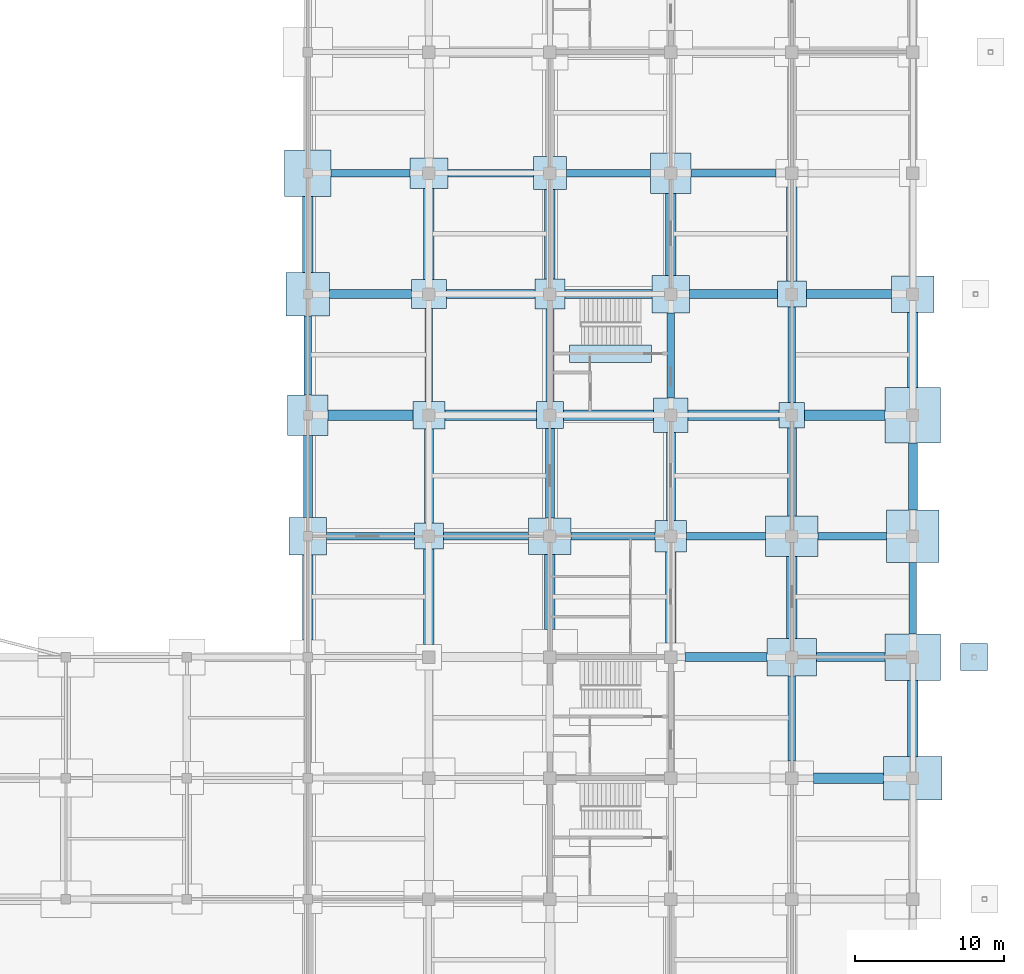
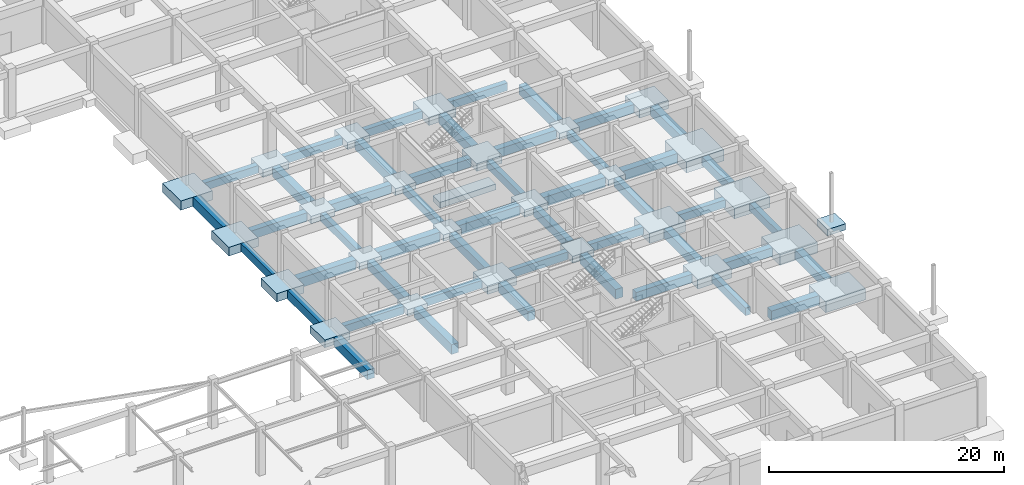
# One storey, part 8 of 67: 74 footings.
"""IFC4 building model written with IfcOpenShell, lengths in metres."""

import ifcopenshell
import ifcopenshell.guid

model = None  # the IFC model being written
_history = None  # IfcOwnerHistory: only IFC2X3 demands one
_inside = {}  # id of a spatial element -> (the spatial element, [elements in it])
_under = {}  # id of a project, library or spatial element -> (it, [spatial elements below it])
_declared = {}  # id of a project -> (the project, [libraries it declares])
_typed = {}  # id of a type object -> (the type object, [elements of that type])
_made_of = {}  # id of a material, layer set ... -> (it, [elements and type objects made of it])


def new_model(schema):
    """Start an empty IFC model of exactly this schema.

    Asked for "IFC4X3", IfcOpenShell would pick the latest addendum, in which some entities
    have other attributes; the version numbers below select the first issue.
    IFC2X3 requires an IfcOwnerHistory on every rooted entity: one is made here for all.
    """
    global model, _history
    if schema == "IFC4X3":
        model = ifcopenshell.file(schema_version=(4, 3, 0, 0))
    else:
        model = ifcopenshell.file(schema=schema)
    _inside.clear()
    _under.clear()
    _declared.clear()
    _typed.clear()
    _made_of.clear()
    _history = None
    if model.schema == "IFC2X3":
        org = make("IfcOrganization", Name="unknown")
        user = make(
            "IfcPersonAndOrganization",
            ThePerson=make("IfcPerson", FamilyName="unknown"),
            TheOrganization=org,
        )
        app = make(
            "IfcApplication",
            ApplicationDeveloper=org,
            Version="unknown",
            ApplicationFullName="unknown",
            ApplicationIdentifier="unknown",
        )
        _history = make(
            "IfcOwnerHistory",
            OwningUser=user,
            OwningApplication=app,
            ChangeAction="ADDED",
            CreationDate=0,
        )
    return model


def make(cls, **values):
    """One entity of the class cls with the attributes given. An attribute that is None is left unset."""
    return model.create_entity(
        cls, **{name: value for name, value in values.items() if value is not None}
    )


def rooted(cls, **values):
    """An entity with a GlobalId (a new one), such as an element, a storey or a relation."""
    return make(cls, GlobalId=ifcopenshell.guid.new(), OwnerHistory=_history, **values)


def si_unit(unit_type, name, prefix=None):
    """IfcSIUnit, for example si_unit("LENGTHUNIT", "METRE", prefix="MILLI")."""
    return make("IfcSIUnit", UnitType=unit_type, Prefix=prefix, Name=name)


def assignment(units):
    """IfcUnitAssignment: the units of a project."""
    return None if units is None else make("IfcUnitAssignment", Units=units)


def point(xyz):
    """IfcCartesianPoint."""
    return None if xyz is None else make("IfcCartesianPoint", Coordinates=xyz)


def direction(xyz):
    """IfcDirection."""
    return None if xyz is None else make("IfcDirection", DirectionRatios=xyz)


def frame(location, z_axis=None, x_axis=None):
    """IfcAxis2Placement3D, a coordinate frame: its origin and axes. An axis left out is left unset."""
    return make(
        "IfcAxis2Placement3D",
        Location=point(location),
        Axis=direction(z_axis),
        RefDirection=direction(x_axis),
    )


def frame_2d(location, x_axis=None):
    """IfcAxis2Placement2D, a coordinate frame in the plane: its origin and x axis."""
    return make(
        "IfcAxis2Placement2D", Location=point(location), RefDirection=direction(x_axis)
    )


def origin():
    """The frame at (0, 0, 0) with its axes left unset."""
    return frame((0.0, 0.0, 0.0))


def origin_2d():
    """The frame at (0, 0) in the plane with its x axis left unset."""
    return frame_2d((0.0, 0.0))


def place(relative_to, where):
    """IfcLocalPlacement: puts the frame where relative to a parent placement (None: the world)."""
    return make(
        "IfcLocalPlacement", PlacementRelTo=relative_to, RelativePlacement=where
    )


def context(
    kind, dimensions, precision=None, world=None, true_north=None, identifier=None
):
    """IfcGeometricRepresentationContext, for example the 3D "Model" context."""
    return make(
        "IfcGeometricRepresentationContext",
        ContextIdentifier=identifier,
        ContextType=kind,
        CoordinateSpaceDimension=dimensions,
        Precision=precision,
        WorldCoordinateSystem=world,
        TrueNorth=true_north,
    )


def subcontext(parent, identifier, kind, view, scale=None):
    """IfcGeometricRepresentationSubContext, for example "Body" below "Model"."""
    return make(
        "IfcGeometricRepresentationSubContext",
        ContextIdentifier=identifier,
        ContextType=kind,
        ParentContext=parent,
        TargetScale=scale,
        TargetView=view,
    )


def project(units=None, contexts=None):
    """IfcProject with its units and contexts."""
    return rooted(
        "IfcProject",
        Name="project",
        RepresentationContexts=contexts,
        UnitsInContext=assignment(units),
    )


def spatial(cls, under=None, at=None, **own):
    """A site, building, storey or space (cls), placed at a placement, below another one or the project."""
    s = rooted(cls, ObjectPlacement=at, **own)
    if under is not None:
        _under.setdefault(under.id(), (under, []))[1].append(s)
    return s


def profile(cls, at=None, kind="AREA", **sizes):
    """A parametric profile (cls). Its sizes go by their IFC names, for example OverallWidth=200.0."""
    return make(cls, ProfileType=kind, Position=at, **sizes)


def rectangle(**sizes):
    """IfcRectangleProfileDef."""
    return profile("IfcRectangleProfileDef", **sizes)


def extrude(swept, where, along, depth):
    """IfcExtrudedAreaSolid: the profile swept, set in the frame where, extruded along a direction by depth."""
    return make(
        "IfcExtrudedAreaSolid",
        SweptArea=swept,
        Position=where,
        ExtrudedDirection=direction(along),
        Depth=depth,
    )


def shape(context_of_items, identifier, shape_type, items):
    """IfcShapeRepresentation: the items that make up one representation, for example the "Body"."""
    return make(
        "IfcShapeRepresentation",
        ContextOfItems=context_of_items,
        RepresentationIdentifier=identifier,
        RepresentationType=shape_type,
        Items=items,
    )


def material(Name=None, Category=None):
    """IfcMaterial."""
    return make("IfcMaterial", Name=Name, Category=Category)


def made_of(thing, what):
    """Note that an element or type object is made of a material, layer set ...; save() writes the relation."""
    if what is not None:
        _made_of.setdefault(what.id(), (what, []))[1].append(thing)
    return thing


def type_object(cls, material=None, **own):
    """A type object (cls), such as IfcWallType, which elements share."""
    return made_of(rooted(cls, **own), material)


def element(
    cls,
    number,
    at=None,
    inside=None,
    cuts=None,
    type_object=None,
    material=None,
    context=None,
    identifier="Body",
    shape_type=None,
    held_by="IfcProductDefinitionShape",
    body=None,
    shapes=None,
    **own,
):
    """One element of the class cls, such as IfcWall. Its Tag is "e" and its number.

    at: its placement. inside: the storey or other place that contains it. cuts: it is an
    opening in that element (IfcRelVoidsElement). A single representation is given by context,
    identifier, shape_type and body (its items); several are given by shapes. held_by: the class
    of the entity that holds the representations. save() writes the other relations.
    """
    e = rooted(cls, Tag="e%d" % number, ObjectPlacement=at, **own)
    if body is not None:
        shapes = [shape(context, identifier, shape_type, body)]
    if shapes is not None:
        e.Representation = make(held_by, Representations=shapes)
    if inside is not None:
        _inside.setdefault(inside.id(), (inside, []))[1].append(e)
    if cuts is not None:
        rooted(
            "IfcRelVoidsElement", RelatingBuildingElement=cuts, RelatedOpeningElement=e
        )
    if type_object is not None:
        _typed.setdefault(type_object.id(), (type_object, []))[1].append(e)
    return made_of(e, material)


def aggregate(whole, parts):
    """IfcRelAggregates: a whole, such as a stair, and the parts it consists of."""
    return rooted("IfcRelAggregates", RelatingObject=whole, RelatedObjects=parts)


def save(model, path):
    """Write the relations noted so far, then the file.

    IfcRelAggregates (storeys below a building ...), IfcRelContainedInSpatialStructure (elements
    in a storey), IfcRelDefinesByType, IfcRelAssociatesMaterial and IfcRelDeclares: one each for
    every whole, place, type object, material and project.
    """
    for whole, parts in _under.values():
        aggregate(whole, parts)
    for where, things in _inside.values():
        rooted(
            "IfcRelContainedInSpatialStructure",
            RelatedElements=things,
            RelatingStructure=where,
        )
    for kind, things in _typed.values():
        rooted("IfcRelDefinesByType", RelatedObjects=things, RelatingType=kind)
    for what, things in _made_of.values():
        rooted("IfcRelAssociatesMaterial", RelatedObjects=things, RelatingMaterial=what)
    for by, libraries in _declared.values():
        rooted("IfcRelDeclares", RelatingContext=by, RelatedDefinitions=libraries)
    model.write(path)


model = new_model("IFC4")

# Units and contexts
model_context = context("Model", 3, precision=1e-05, world=origin(), true_north=direction((0.0, 1.0)))
body_context = subcontext(model_context, "Body", "Model", "MODEL_VIEW")
ifc_project = project(units=[si_unit("LENGTHUNIT", "METRE"), si_unit("AREAUNIT", "SQUARE_METRE"), si_unit("VOLUMEUNIT", "CUBIC_METRE"), si_unit("PLANEANGLEUNIT", "RADIAN"), si_unit("MASSUNIT", "GRAM", prefix="KILO")], contexts=[model_context])

# Site, building, storey
site_placement = place(None, origin())
site = spatial("IfcSite", under=ifc_project, at=site_placement, CompositionType="ELEMENT")
building_placement = place(site_placement, origin())
building = spatial("IfcBuilding", under=site, at=building_placement, Name="Vaudrelin Polytechnic", CompositionType="ELEMENT")
storey_placement = place(building_placement, frame((0.0, 0.0, -5.10009765625)))
storey = spatial("IfcBuildingStorey", under=building, at=storey_placement, Name="B1", CompositionType="ELEMENT", Elevation=-5.10009765625)

# Footings
ifc_material = material(Name="Concrete 40 MPa", Category="concrete")
footing_type_1 = type_object("IfcFootingType", Name="FTG-GB-01", PredefinedType="FOOTING_BEAM", material=ifc_material)
footing_1_placement = place(storey_placement, frame((133.78759765625, 56.699951171875, -1.25), z_axis=(0.0, 0.0, 1.0), x_axis=(1.0, 0.0, 0.0)))
element("IfcFooting", 1, at=footing_1_placement, inside=storey, type_object=footing_type_1, Name="Ground tie beam GB-0267", PredefinedType="FOOTING_BEAM", context=body_context, shape_type="SweptSolid", body=[
    extrude(rectangle(XDim=5.875, YDim=0.5, at=origin_2d()), origin(), (0.0, 0.0, 1.0), 0.800048828125),
])
footing_2_placement = place(storey_placement, frame((129.60009765625, 68.800048828125, -1.25), z_axis=(0.0, 0.0, 1.0), x_axis=(1.0, 0.0, 0.0)))
element("IfcFooting", 2, at=footing_2_placement, inside=storey, type_object=footing_type_1, Name="Ground tie beam GB-0270", PredefinedType="FOOTING_BEAM", context=body_context, shape_type="SweptSolid", body=[
    extrude(rectangle(XDim=0.5, YDim=5.300048828125, at=origin_2d()), origin(), (0.0, 0.0, 1.0), 0.800048828125),
])
footing_3_placement = place(storey_placement, frame((133.78759765625, 81.0, -1.25), z_axis=(0.0, 0.0, 1.0), x_axis=(1.0, 0.0, 0.0)))
element("IfcFooting", 3, at=footing_3_placement, inside=storey, type_object=footing_type_1, Name="Ground tie beam GB-0273", PredefinedType="FOOTING_BEAM", context=body_context, shape_type="SweptSolid", body=[
    extrude(rectangle(XDim=5.27490234375, YDim=0.5, at=origin_2d()), origin(), (0.0, 0.0, 1.0), 0.800048828125),
])
footing_4_placement = place(storey_placement, frame((141.52490234375, 56.699951171875, -1.25), z_axis=(0.0, 0.0, 1.0), x_axis=(1.0, 0.0, 0.0)))
element("IfcFooting", 4, at=footing_4_placement, inside=storey, type_object=footing_type_1, Name="Ground tie beam GB-0294", PredefinedType="FOOTING_BEAM", context=body_context, shape_type="SweptSolid", body=[
    extrude(rectangle(XDim=5.699951171875, YDim=0.5, at=origin_2d()), origin(), (0.0, 0.0, 1.0), 0.800048828125),
])
footing_5_placement = place(storey_placement, frame((137.699951171875, 68.824951171875, -1.25), z_axis=(0.0, 0.0, 1.0), x_axis=(1.0, 0.0, 0.0)))
element("IfcFooting", 5, at=footing_5_placement, inside=storey, type_object=footing_type_1, Name="Ground tie beam GB-0297", PredefinedType="FOOTING_BEAM", context=body_context, shape_type="SweptSolid", body=[
    extrude(rectangle(XDim=0.5, YDim=6.199951171875, at=origin_2d()), origin(), (0.0, 0.0, 1.0), 0.800048828125),
])
footing_6_placement = place(storey_placement, frame((141.83740234375, 81.0, -1.25), z_axis=(0.0, 0.0, 1.0), x_axis=(1.0, 0.0, 0.0)))
element("IfcFooting", 6, at=footing_6_placement, inside=storey, type_object=footing_type_1, Name="Ground tie beam GB-0300", PredefinedType="FOOTING_BEAM", context=body_context, shape_type="SweptSolid", body=[
    extrude(rectangle(XDim=5.72509765625, YDim=0.5, at=origin_2d()), origin(), (0.0, 0.0, 1.0), 0.800048828125),
])
footing_7_placement = place(storey_placement, frame((150.03759765625, 56.699951171875, -1.25), z_axis=(0.0, 0.0, 1.0), x_axis=(1.0, 0.0, 0.0)))
element("IfcFooting", 7, at=footing_7_placement, inside=storey, type_object=footing_type_1, Name="Ground tie beam GB-0321", PredefinedType="FOOTING_BEAM", context=body_context, shape_type="SweptSolid", body=[
    extrude(rectangle(XDim=5.625, YDim=0.5, at=origin_2d()), origin(), (0.0, 0.0, 1.0), 0.800048828125),
])
footing_8_placement = place(storey_placement, frame((145.800048828125, 68.800048828125, -1.25), z_axis=(0.0, 0.0, 1.0), x_axis=(1.0, 0.0, 0.0)))
element("IfcFooting", 8, at=footing_8_placement, inside=storey, type_object=footing_type_1, Name="Ground tie beam GB-0324", PredefinedType="FOOTING_BEAM", context=body_context, shape_type="SweptSolid", body=[
    extrude(rectangle(XDim=0.5, YDim=6.199951171875, at=origin_2d()), origin(), (0.0, 0.0, 1.0), 0.800048828125),
])
footing_9_placement = place(storey_placement, frame((149.72509765625, 81.0, -1.25), z_axis=(0.0, 0.0, 1.0), x_axis=(1.0, 0.0, 0.0)))
element("IfcFooting", 9, at=footing_9_placement, inside=storey, type_object=footing_type_1, Name="Ground tie beam GB-0327", PredefinedType="FOOTING_BEAM", context=body_context, shape_type="SweptSolid", body=[
    extrude(rectangle(XDim=5.64990234375, YDim=0.5, at=origin_2d()), origin(), (0.0, 0.0, 1.0), 0.800048828125),
])
footing_10_placement = place(storey_placement, frame((157.60009765625, 56.699951171875, -1.25), z_axis=(0.0, 0.0, 1.0), x_axis=(1.0, 0.0, 0.0)))
element("IfcFooting", 10, at=footing_10_placement, inside=storey, type_object=footing_type_1, Name="Ground tie beam GB-0348", PredefinedType="FOOTING_BEAM", context=body_context, shape_type="SweptSolid", body=[
    extrude(rectangle(XDim=5.300048828125, YDim=0.5, at=origin_2d()), origin(), (0.0, 0.0, 1.0), 0.800048828125),
])
footing_11_placement = place(storey_placement, frame((153.89990234375, 68.800048828125, -1.25), z_axis=(0.0, 0.0, 1.0), x_axis=(1.0, 0.0, 0.0)))
element("IfcFooting", 11, at=footing_11_placement, inside=storey, type_object=footing_type_1, Name="Ground tie beam GB-0351", PredefinedType="FOOTING_BEAM", context=body_context, shape_type="SweptSolid", body=[
    extrude(rectangle(XDim=0.5, YDim=5.699951171875, at=origin_2d()), origin(), (0.0, 0.0, 1.0), 0.800048828125),
])
footing_12_placement = place(storey_placement, frame((158.08740234375, 81.0, -1.25), z_axis=(0.0, 0.0, 1.0), x_axis=(1.0, 0.0, 0.0)))
element("IfcFooting", 12, at=footing_12_placement, inside=storey, type_object=footing_type_1, Name="Ground tie beam GB-0354", PredefinedType="FOOTING_BEAM", context=body_context, shape_type="SweptSolid", body=[
    extrude(rectangle(XDim=5.675048828125, YDim=0.5, at=origin_2d()), origin(), (0.0, 0.0, 1.0), 0.800048828125),
])
footing_13_placement = place(storey_placement, frame((162.0, 44.5, -1.25), z_axis=(0.0, 0.0, 1.0), x_axis=(1.0, 0.0, 0.0)))
element("IfcFooting", 13, at=footing_13_placement, inside=storey, type_object=footing_type_1, Name="Ground tie beam GB-0372", PredefinedType="FOOTING_BEAM", context=body_context, shape_type="SweptSolid", body=[
    extrude(rectangle(XDim=0.5, YDim=5.699951171875, at=origin_2d()), origin(), (0.0, 0.0, 1.0), 0.800048828125),
])
footing_14_placement = place(storey_placement, frame((166.050048828125, 56.699951171875, -1.25), z_axis=(0.0, 0.0, 1.0), x_axis=(1.0, 0.0, 0.0)))
element("IfcFooting", 14, at=footing_14_placement, inside=storey, type_object=footing_type_1, Name="Ground tie beam GB-0375", PredefinedType="FOOTING_BEAM", context=body_context, shape_type="SweptSolid", body=[
    extrude(rectangle(XDim=4.60009765625, YDim=0.5, at=origin_2d()), origin(), (0.0, 0.0, 1.0), 0.800048828125),
])
footing_15_placement = place(storey_placement, frame((162.0, 68.83740234375, -1.25), z_axis=(0.0, 0.0, 1.0), x_axis=(1.0, 0.0, 0.0)))
element("IfcFooting", 15, at=footing_15_placement, inside=storey, type_object=footing_type_1, Name="Ground tie beam GB-0378", PredefinedType="FOOTING_BEAM", context=body_context, shape_type="SweptSolid", body=[
    extrude(rectangle(XDim=0.5, YDim=6.375, at=origin_2d()), origin(), (0.0, 0.0, 1.0), 0.800048828125),
])
footing_16_placement = place(storey_placement, frame((170.10009765625, 52.550048828125, -1.25), z_axis=(0.0, 0.0, 1.0), x_axis=(1.0, 0.0, 0.0)))
element("IfcFooting", 16, at=footing_16_placement, inside=storey, type_object=footing_type_1, Name="Ground tie beam GB-0396", PredefinedType="FOOTING_BEAM", context=body_context, shape_type="SweptSolid", body=[
    extrude(rectangle(XDim=0.5, YDim=4.800048828125, at=origin_2d()), origin(), (0.0, 0.0, 1.0), 0.800048828125),
])
footing_type_2 = type_object("IfcFootingType", Name="FTG-GB-02", PredefinedType="FOOTING_BEAM", material=ifc_material)
footing_17_placement = place(storey_placement, frame((129.60009765625, 60.699951171875, -1.349853515625), z_axis=(0.0, 0.0, 1.0), x_axis=(1.0, 0.0, 0.0)))
element("IfcFooting", 17, at=footing_17_placement, inside=storey, type_object=footing_type_2, Name="Ground tie beam GB-0268", PredefinedType="FOOTING_BEAM", context=body_context, shape_type="SweptSolid", body=[
    extrude(rectangle(XDim=0.60009765625, YDim=5.5, at=origin_2d()), origin(), (0.0, 0.0, 1.0), 0.89990234375),
])
footing_18_placement = place(storey_placement, frame((133.78759765625, 72.89990234375, -1.349853515625), z_axis=(0.0, 0.0, 1.0), x_axis=(1.0, 0.0, 0.0)))
element("IfcFooting", 18, at=footing_18_placement, inside=storey, type_object=footing_type_2, Name="Ground tie beam GB-0271", PredefinedType="FOOTING_BEAM", context=body_context, shape_type="SweptSolid", body=[
    extrude(rectangle(XDim=5.47509765625, YDim=0.60009765625, at=origin_2d()), origin(), (0.0, 0.0, 1.0), 0.89990234375),
])
footing_19_placement = place(storey_placement, frame((137.699951171875, 60.72509765625, -1.349853515625), z_axis=(0.0, 0.0, 1.0), x_axis=(1.0, 0.0, 0.0)))
element("IfcFooting", 19, at=footing_19_placement, inside=storey, type_object=footing_type_2, Name="Ground tie beam GB-0295", PredefinedType="FOOTING_BEAM", context=body_context, shape_type="SweptSolid", body=[
    extrude(rectangle(XDim=0.60009765625, YDim=6.300048828125, at=origin_2d()), origin(), (0.0, 0.0, 1.0), 0.89990234375),
])
footing_20_placement = place(storey_placement, frame((141.83740234375, 72.89990234375, -1.349853515625), z_axis=(0.0, 0.0, 1.0), x_axis=(1.0, 0.0, 0.0)))
element("IfcFooting", 20, at=footing_20_placement, inside=storey, type_object=footing_type_2, Name="Ground tie beam GB-0298", PredefinedType="FOOTING_BEAM", context=body_context, shape_type="SweptSolid", body=[
    extrude(rectangle(XDim=5.925048828125, YDim=0.60009765625, at=origin_2d()), origin(), (0.0, 0.0, 1.0), 0.89990234375),
])
footing_21_placement = place(storey_placement, frame((145.800048828125, 60.91259765625, -1.349853515625), z_axis=(0.0, 0.0, 1.0), x_axis=(1.0, 0.0, 0.0)))
element("IfcFooting", 21, at=footing_21_placement, inside=storey, type_object=footing_type_2, Name="Ground tie beam GB-0322", PredefinedType="FOOTING_BEAM", context=body_context, shape_type="SweptSolid", body=[
    extrude(rectangle(XDim=0.60009765625, YDim=5.97509765625, at=origin_2d()), origin(), (0.0, 0.0, 1.0), 0.89990234375),
])
footing_22_placement = place(storey_placement, frame((149.72509765625, 72.89990234375, -1.349853515625), z_axis=(0.0, 0.0, 1.0), x_axis=(1.0, 0.0, 0.0)))
element("IfcFooting", 22, at=footing_22_placement, inside=storey, type_object=footing_type_2, Name="Ground tie beam GB-0325", PredefinedType="FOOTING_BEAM", context=body_context, shape_type="SweptSolid", body=[
    extrude(rectangle(XDim=5.85009765625, YDim=0.60009765625, at=origin_2d()), origin(), (0.0, 0.0, 1.0), 0.89990234375),
])
footing_23_placement = place(storey_placement, frame((157.60009765625, 48.60009765625, -1.349853515625), z_axis=(0.0, 0.0, 1.0), x_axis=(1.0, 0.0, 0.0)))
element("IfcFooting", 23, at=footing_23_placement, inside=storey, type_object=footing_type_2, Name="Ground tie beam GB-0346", PredefinedType="FOOTING_BEAM", context=body_context, shape_type="SweptSolid", body=[
    extrude(rectangle(XDim=5.5, YDim=0.60009765625, at=origin_2d()), origin(), (0.0, 0.0, 1.0), 0.89990234375),
])
footing_24_placement = place(storey_placement, frame((153.89990234375, 60.699951171875, -1.349853515625), z_axis=(0.0, 0.0, 1.0), x_axis=(1.0, 0.0, 0.0)))
element("IfcFooting", 24, at=footing_24_placement, inside=storey, type_object=footing_type_2, Name="Ground tie beam GB-0349", PredefinedType="FOOTING_BEAM", context=body_context, shape_type="SweptSolid", body=[
    extrude(rectangle(XDim=0.60009765625, YDim=5.89990234375, at=origin_2d()), origin(), (0.0, 0.0, 1.0), 0.89990234375),
])
footing_25_placement = place(storey_placement, frame((158.08740234375, 72.89990234375, -1.349853515625), z_axis=(0.0, 0.0, 1.0), x_axis=(1.0, 0.0, 0.0)))
element("IfcFooting", 25, at=footing_25_placement, inside=storey, type_object=footing_type_2, Name="Ground tie beam GB-0352", PredefinedType="FOOTING_BEAM", context=body_context, shape_type="SweptSolid", body=[
    extrude(rectangle(XDim=5.875, YDim=0.60009765625, at=origin_2d()), origin(), (0.0, 0.0, 1.0), 0.89990234375),
])
footing_26_placement = place(storey_placement, frame((165.949951171875, 48.60009765625, -1.349853515625), z_axis=(0.0, 0.0, 1.0), x_axis=(1.0, 0.0, 0.0)))
element("IfcFooting", 26, at=footing_26_placement, inside=storey, type_object=footing_type_2, Name="Ground tie beam GB-0373", PredefinedType="FOOTING_BEAM", context=body_context, shape_type="SweptSolid", body=[
    extrude(rectangle(XDim=4.60009765625, YDim=0.60009765625, at=origin_2d()), origin(), (0.0, 0.0, 1.0), 0.89990234375),
])
footing_27_placement = place(storey_placement, frame((162.0, 61.0, -1.349853515625), z_axis=(0.0, 0.0, 1.0), x_axis=(1.0, 0.0, 0.0)))
element("IfcFooting", 27, at=footing_27_placement, inside=storey, type_object=footing_type_2, Name="Ground tie beam GB-0376", PredefinedType="FOOTING_BEAM", context=body_context, shape_type="SweptSolid", body=[
    extrude(rectangle(XDim=0.60009765625, YDim=5.89990234375, at=origin_2d()), origin(), (0.0, 0.0, 1.0), 0.89990234375),
])
footing_28_placement = place(storey_placement, frame((165.824951171875, 72.89990234375, -1.349853515625), z_axis=(0.0, 0.0, 1.0), x_axis=(1.0, 0.0, 0.0)))
element("IfcFooting", 28, at=footing_28_placement, inside=storey, type_object=footing_type_2, Name="Ground tie beam GB-0379", PredefinedType="FOOTING_BEAM", context=body_context, shape_type="SweptSolid", body=[
    extrude(rectangle(XDim=5.699951171875, YDim=0.60009765625, at=origin_2d()), origin(), (0.0, 0.0, 1.0), 0.89990234375),
])
footing_29_placement = place(storey_placement, frame((170.10009765625, 60.699951171875, -1.349853515625), z_axis=(0.0, 0.0, 1.0), x_axis=(1.0, 0.0, 0.0)))
element("IfcFooting", 29, at=footing_29_placement, inside=storey, type_object=footing_type_2, Name="Ground tie beam GB-0397", PredefinedType="FOOTING_BEAM", context=body_context, shape_type="SweptSolid", body=[
    extrude(rectangle(XDim=0.60009765625, YDim=4.5, at=origin_2d()), origin(), (0.0, 0.0, 1.0), 0.89990234375),
])
footing_type_3 = type_object("IfcFootingType", Name="FTG-GB-03", PredefinedType="FOOTING_BEAM", material=ifc_material)
footing_30_placement = place(storey_placement, frame((129.60009765625, 52.60009765625, -1.449951171875), z_axis=(0.0, 0.0, 1.0), x_axis=(1.0, 0.0, 0.0)))
element("IfcFooting", 30, at=footing_30_placement, inside=storey, type_object=footing_type_3, Name="Ground tie beam GB-0266", PredefinedType="FOOTING_BEAM", context=body_context, shape_type="SweptSolid", body=[
    extrude(rectangle(XDim=0.699951171875, YDim=5.699951171875, at=origin_2d()), origin(), (0.0, 0.0, 1.0), 1.0),
])
footing_31_placement = place(storey_placement, frame((133.78759765625, 64.800048828125, -1.449951171875), z_axis=(0.0, 0.0, 1.0), x_axis=(1.0, 0.0, 0.0)))
element("IfcFooting", 31, at=footing_31_placement, inside=storey, type_object=footing_type_3, Name="Ground tie beam GB-0269", PredefinedType="FOOTING_BEAM", context=body_context, shape_type="SweptSolid", body=[
    extrude(rectangle(XDim=5.675048828125, YDim=0.699951171875, at=origin_2d()), origin(), (0.0, 0.0, 1.0), 1.0),
])
footing_32_placement = place(storey_placement, frame((129.60009765625, 76.89990234375, -1.449951171875), z_axis=(0.0, 0.0, 1.0), x_axis=(1.0, 0.0, 0.0)))
element("IfcFooting", 32, at=footing_32_placement, inside=storey, type_object=footing_type_3, Name="Ground tie beam GB-0272", PredefinedType="FOOTING_BEAM", context=body_context, shape_type="SweptSolid", body=[
    extrude(rectangle(XDim=0.699951171875, YDim=5.10009765625, at=origin_2d()), origin(), (0.0, 0.0, 1.0), 1.0),
])
footing_33_placement = place(storey_placement, frame((137.699951171875, 52.637451171875, -1.449951171875), z_axis=(0.0, 0.0, 1.0), x_axis=(1.0, 0.0, 0.0)))
element("IfcFooting", 33, at=footing_33_placement, inside=storey, type_object=footing_type_3, Name="Ground tie beam GB-0293", PredefinedType="FOOTING_BEAM", context=body_context, shape_type="SweptSolid", body=[
    extrude(rectangle(XDim=0.699951171875, YDim=6.375, at=origin_2d()), origin(), (0.0, 0.0, 1.0), 1.0),
])
footing_34_placement = place(storey_placement, frame((141.83740234375, 64.800048828125, -1.449951171875), z_axis=(0.0, 0.0, 1.0), x_axis=(1.0, 0.0, 0.0)))
element("IfcFooting", 34, at=footing_34_placement, inside=storey, type_object=footing_type_3, Name="Ground tie beam GB-0296", PredefinedType="FOOTING_BEAM", context=body_context, shape_type="SweptSolid", body=[
    extrude(rectangle(XDim=6.125, YDim=0.699951171875, at=origin_2d()), origin(), (0.0, 0.0, 1.0), 1.0),
])
footing_35_placement = place(storey_placement, frame((137.699951171875, 76.925048828125, -1.449951171875), z_axis=(0.0, 0.0, 1.0), x_axis=(1.0, 0.0, 0.0)))
element("IfcFooting", 35, at=footing_35_placement, inside=storey, type_object=footing_type_3, Name="Ground tie beam GB-0299", PredefinedType="FOOTING_BEAM", context=body_context, shape_type="SweptSolid", body=[
    extrude(rectangle(XDim=0.699951171875, YDim=6.10009765625, at=origin_2d()), origin(), (0.0, 0.0, 1.0), 1.0),
])
footing_36_placement = place(storey_placement, frame((145.800048828125, 52.96240234375, -1.449951171875), z_axis=(0.0, 0.0, 1.0), x_axis=(1.0, 0.0, 0.0)))
element("IfcFooting", 36, at=footing_36_placement, inside=storey, type_object=footing_type_3, Name="Ground tie beam GB-0320", PredefinedType="FOOTING_BEAM", context=body_context, shape_type="SweptSolid", body=[
    extrude(rectangle(XDim=0.699951171875, YDim=5.02490234375, at=origin_2d()), origin(), (0.0, 0.0, 1.0), 1.0),
])
footing_37_placement = place(storey_placement, frame((149.72509765625, 64.800048828125, -1.449951171875), z_axis=(0.0, 0.0, 1.0), x_axis=(1.0, 0.0, 0.0)))
element("IfcFooting", 37, at=footing_37_placement, inside=storey, type_object=footing_type_3, Name="Ground tie beam GB-0323", PredefinedType="FOOTING_BEAM", context=body_context, shape_type="SweptSolid", body=[
    extrude(rectangle(XDim=6.050048828125, YDim=0.699951171875, at=origin_2d()), origin(), (0.0, 0.0, 1.0), 1.0),
])
footing_38_placement = place(storey_placement, frame((145.800048828125, 76.89990234375, -1.449951171875), z_axis=(0.0, 0.0, 1.0), x_axis=(1.0, 0.0, 0.0)))
element("IfcFooting", 38, at=footing_38_placement, inside=storey, type_object=footing_type_3, Name="Ground tie beam GB-0326", PredefinedType="FOOTING_BEAM", context=body_context, shape_type="SweptSolid", body=[
    extrude(rectangle(XDim=0.699951171875, YDim=6.0, at=origin_2d()), origin(), (0.0, 0.0, 1.0), 1.0),
])
footing_39_placement = place(storey_placement, frame((153.89990234375, 52.60009765625, -1.449951171875), z_axis=(0.0, 0.0, 1.0), x_axis=(1.0, 0.0, 0.0)))
element("IfcFooting", 39, at=footing_39_placement, inside=storey, type_object=footing_type_3, Name="Ground tie beam GB-0347", PredefinedType="FOOTING_BEAM", context=body_context, shape_type="SweptSolid", body=[
    extrude(rectangle(XDim=0.699951171875, YDim=6.10009765625, at=origin_2d()), origin(), (0.0, 0.0, 1.0), 1.0),
])
footing_40_placement = place(storey_placement, frame((158.10009765625, 64.800048828125, -1.449951171875), z_axis=(0.0, 0.0, 1.0), x_axis=(1.0, 0.0, 0.0)))
element("IfcFooting", 40, at=footing_40_placement, inside=storey, type_object=footing_type_3, Name="Ground tie beam GB-0350", PredefinedType="FOOTING_BEAM", context=body_context, shape_type="SweptSolid", body=[
    extrude(rectangle(XDim=6.10009765625, YDim=0.699951171875, at=origin_2d()), origin(), (0.0, 0.0, 1.0), 1.0),
])
footing_41_placement = place(storey_placement, frame((153.89990234375, 76.89990234375, -1.449951171875), z_axis=(0.0, 0.0, 1.0), x_axis=(1.0, 0.0, 0.0)))
element("IfcFooting", 41, at=footing_41_placement, inside=storey, type_object=footing_type_3, Name="Ground tie beam GB-0353", PredefinedType="FOOTING_BEAM", context=body_context, shape_type="SweptSolid", body=[
    extrude(rectangle(XDim=0.699951171875, YDim=5.5, at=origin_2d()), origin(), (0.0, 0.0, 1.0), 1.0),
])
footing_42_placement = place(storey_placement, frame((165.800048828125, 40.5, -1.449951171875), z_axis=(0.0, 0.0, 1.0), x_axis=(1.0, 0.0, 0.0)))
element("IfcFooting", 42, at=footing_42_placement, inside=storey, type_object=footing_type_3, Name="Ground tie beam GB-0371", PredefinedType="FOOTING_BEAM", context=body_context, shape_type="SweptSolid", body=[
    extrude(rectangle(XDim=4.699951171875, YDim=0.699951171875, at=origin_2d()), origin(), (0.0, 0.0, 1.0), 1.0),
])
footing_43_placement = place(storey_placement, frame((162.0, 52.60009765625, -1.449951171875), z_axis=(0.0, 0.0, 1.0), x_axis=(1.0, 0.0, 0.0)))
element("IfcFooting", 43, at=footing_43_placement, inside=storey, type_object=footing_type_3, Name="Ground tie beam GB-0374", PredefinedType="FOOTING_BEAM", context=body_context, shape_type="SweptSolid", body=[
    extrude(rectangle(XDim=0.699951171875, YDim=5.5, at=origin_2d()), origin(), (0.0, 0.0, 1.0), 1.0),
])
footing_44_placement = place(storey_placement, frame((165.550048828125, 64.800048828125, -1.449951171875), z_axis=(0.0, 0.0, 1.0), x_axis=(1.0, 0.0, 0.0)))
element("IfcFooting", 44, at=footing_44_placement, inside=storey, type_object=footing_type_3, Name="Ground tie beam GB-0377", PredefinedType="FOOTING_BEAM", context=body_context, shape_type="SweptSolid", body=[
    extrude(rectangle(XDim=5.39990234375, YDim=0.699951171875, at=origin_2d()), origin(), (0.0, 0.0, 1.0), 1.0),
])
footing_45_placement = place(storey_placement, frame((162.0, 76.925048828125, -1.449951171875), z_axis=(0.0, 0.0, 1.0), x_axis=(1.0, 0.0, 0.0)))
element("IfcFooting", 45, at=footing_45_placement, inside=storey, type_object=footing_type_3, Name="Ground tie beam GB-0380", PredefinedType="FOOTING_BEAM", context=body_context, shape_type="SweptSolid", body=[
    extrude(rectangle(XDim=0.699951171875, YDim=6.300048828125, at=origin_2d()), origin(), (0.0, 0.0, 1.0), 1.0),
])
footing_46_placement = place(storey_placement, frame((170.10009765625, 44.5, -1.449951171875), z_axis=(0.0, 0.0, 1.0), x_axis=(1.0, 0.0, 0.0)))
element("IfcFooting", 46, at=footing_46_placement, inside=storey, type_object=footing_type_3, Name="Ground tie beam GB-0395", PredefinedType="FOOTING_BEAM", context=body_context, shape_type="SweptSolid", body=[
    extrude(rectangle(XDim=0.699951171875, YDim=5.10009765625, at=origin_2d()), origin(), (0.0, 0.0, 1.0), 1.0),
])
footing_47_placement = place(storey_placement, frame((170.10009765625, 69.16259765625, -1.449951171875), z_axis=(0.0, 0.0, 1.0), x_axis=(1.0, 0.0, 0.0)))
element("IfcFooting", 47, at=footing_47_placement, inside=storey, type_object=footing_type_3, Name="Ground tie beam GB-0398", PredefinedType="FOOTING_BEAM", context=body_context, shape_type="SweptSolid", body=[
    extrude(rectangle(XDim=0.699951171875, YDim=5.02490234375, at=origin_2d()), origin(), (0.0, 0.0, 1.0), 1.0),
])
footing_type_4 = type_object("IfcFootingType", Name="FTG-PF-01", PredefinedType="PAD_FOOTING", material=ifc_material)
for number, where, z_axis, x_axis, name in (
    (48, (145.800048828125, 64.800048828125, -1.099853515625), (0.0, 0.0, 1.0), (1.0, 0.0, 0.0), "Spread footing 18-8"),
    (49, (174.199951171875, 48.60009765625, -0.64990234375), (0.0, 0.0, 1.0), (1.0, 0.0, 0.0), "Sculptural prow footing E_OR1_2"),
):
    element("IfcFooting", number, at=place(storey_placement, frame(where, z_axis=z_axis, x_axis=x_axis)), inside=storey, type_object=footing_type_4, Name=name, PredefinedType="PAD_FOOTING", context=body_context, shape_type="SweptSolid", body=[
        extrude(rectangle(XDim=1.800048828125, YDim=1.800048828125, at=origin_2d()), origin(), (0.0, 0.0, 1.0), 0.64990234375),
    ])
footing_type_5 = type_object("IfcFootingType", Name="FTG-PF-02", PredefinedType="PAD_FOOTING", material=ifc_material)
footing_48_placement = place(storey_placement, frame((145.800048828125, 72.89990234375, -1.14990234375), z_axis=(0.0, 0.0, 1.0), x_axis=(1.0, 0.0, 0.0)))
element("IfcFooting", 50, at=footing_48_placement, inside=storey, type_object=footing_type_5, Name="Spread footing 18-9", PredefinedType="PAD_FOOTING", context=body_context, shape_type="SweptSolid", body=[
    extrude(rectangle(XDim=2.0, YDim=2.0, at=origin_2d()), origin(), (0.0, 0.0, 1.0), 0.699951171875),
])
footing_type_6 = type_object("IfcFootingType", Name="FTG-PF-03", PredefinedType="PAD_FOOTING", material=ifc_material)
footing_49_placement = place(storey_placement, frame((145.800048828125, 81.0, -1.199951171875), z_axis=(0.0, 0.0, 1.0), x_axis=(1.0, 0.0, 0.0)))
element("IfcFooting", 51, at=footing_49_placement, inside=storey, type_object=footing_type_6, Name="Spread footing 18-10", PredefinedType="PAD_FOOTING", context=body_context, shape_type="SweptSolid", body=[
    extrude(rectangle(XDim=2.199951171875, YDim=2.199951171875, at=origin_2d()), origin(), (0.0, 0.0, 1.0), 0.75),
])
footing_type_7 = type_object("IfcFootingType", Name="FTG-PF-14", PredefinedType="PAD_FOOTING", material=ifc_material)
footing_50_placement = place(storey_placement, frame((153.89990234375, 56.699951171875, -1.14990234375), z_axis=(0.0, 0.0, 1.0), x_axis=(1.0, 0.0, 0.0)))
element("IfcFooting", 52, at=footing_50_placement, inside=storey, type_object=footing_type_7, Name="Spread footing 19-7", PredefinedType="PAD_FOOTING", context=body_context, shape_type="SweptSolid", body=[
    extrude(rectangle(XDim=2.10009765625, YDim=2.10009765625, at=origin_2d()), origin(), (0.0, 0.0, 1.0), 0.699951171875),
])
footing_type_8 = type_object("IfcFootingType", Name="FTG-PF-15", PredefinedType="PAD_FOOTING", material=ifc_material)
footing_51_placement = place(storey_placement, frame((153.89990234375, 64.800048828125, -1.199951171875), z_axis=(0.0, 0.0, 1.0), x_axis=(1.0, 0.0, 0.0)))
element("IfcFooting", 53, at=footing_51_placement, inside=storey, type_object=footing_type_8, Name="Spread footing 19-8", PredefinedType="PAD_FOOTING", context=body_context, shape_type="SweptSolid", body=[
    extrude(rectangle(XDim=2.300048828125, YDim=2.300048828125, at=origin_2d()), origin(), (0.0, 0.0, 1.0), 0.75),
])
footing_type_9 = type_object("IfcFootingType", Name="FTG-PF-16", PredefinedType="PAD_FOOTING", material=ifc_material)
for number, where, z_axis, x_axis, name in (
    (54, (129.60009765625, 56.699951171875, -1.25), (0.0, 0.0, 1.0), (1.0, 0.0, 0.0), "Spread footing 16-7"),
    (55, (153.89990234375, 72.89990234375, -1.25), (0.0, 0.0, 1.0), (1.0, 0.0, 0.0), "Spread footing 19-9"),
):
    element("IfcFooting", number, at=place(storey_placement, frame(where, z_axis=z_axis, x_axis=x_axis)), inside=storey, type_object=footing_type_9, Name=name, PredefinedType="PAD_FOOTING", context=body_context, shape_type="SweptSolid", body=[
        extrude(rectangle(XDim=2.5, YDim=2.5, at=origin_2d()), origin(), (0.0, 0.0, 1.0), 0.800048828125),
    ])
footing_type_10 = type_object("IfcFootingType", Name="FTG-PF-17", PredefinedType="PAD_FOOTING", material=ifc_material)
for number, where, z_axis, x_axis, name in (
    (56, (129.60009765625, 64.800048828125, -1.300048828125), (0.0, 0.0, 1.0), (1.0, 0.0, 0.0), "Spread footing 16-8"),
    (57, (153.89990234375, 81.0, -1.300048828125), (0.0, 0.0, 1.0), (1.0, 0.0, 0.0), "Spread footing 19-10"),
):
    element("IfcFooting", number, at=place(storey_placement, frame(where, z_axis=z_axis, x_axis=x_axis)), inside=storey, type_object=footing_type_10, Name=name, PredefinedType="PAD_FOOTING", context=body_context, shape_type="SweptSolid", body=[
        extrude(rectangle(XDim=2.699951171875, YDim=2.699951171875, at=origin_2d()), origin(), (0.0, 0.0, 1.0), 0.85009765625),
    ])
footing_type_11 = type_object("IfcFootingType", Name="FTG-PF-18", PredefinedType="PAD_FOOTING", material=ifc_material)
footing_52_placement = place(storey_placement, frame((129.60009765625, 72.89990234375, -1.349853515625), z_axis=(0.0, 0.0, 1.0), x_axis=(1.0, 0.0, 0.0)))
element("IfcFooting", 58, at=footing_52_placement, inside=storey, type_object=footing_type_11, Name="Spread footing 16-9", PredefinedType="PAD_FOOTING", context=body_context, shape_type="SweptSolid", body=[
    extrude(rectangle(XDim=2.89990234375, YDim=2.89990234375, at=origin_2d()), origin(), (0.0, 0.0, 1.0), 0.89990234375),
])
footing_type_12 = type_object("IfcFootingType", Name="FTG-PF-19", PredefinedType="PAD_FOOTING", material=ifc_material)
footing_53_placement = place(storey_placement, frame((129.60009765625, 81.0, -1.39990234375), z_axis=(0.0, 0.0, 1.0), x_axis=(1.0, 0.0, 0.0)))
element("IfcFooting", 59, at=footing_53_placement, inside=storey, type_object=footing_type_12, Name="Spread footing 16-10", PredefinedType="PAD_FOOTING", context=body_context, shape_type="SweptSolid", body=[
    extrude(rectangle(XDim=3.10009765625, YDim=3.10009765625, at=origin_2d()), origin(), (0.0, 0.0, 1.0), 0.949951171875),
])
footing_type_13 = type_object("IfcFootingType", Name="FTG-PF-27", PredefinedType="PAD_FOOTING", material=ifc_material)
footing_54_placement = place(storey_placement, frame((162.0, 48.60009765625, -1.429931640625), z_axis=(0.0, 0.0, 1.0), x_axis=(1.0, 0.0, 0.0)))
element("IfcFooting", 60, at=footing_54_placement, inside=storey, type_object=footing_type_13, Name="Spread footing 20-6", PredefinedType="PAD_FOOTING", context=body_context, shape_type="SweptSolid", body=[
    extrude(rectangle(XDim=3.300048828125, YDim=2.5, at=origin_2d()), origin(), (0.0, 0.0, 1.0), 0.97998046875),
])
footing_type_14 = type_object("IfcFootingType", Name="FTG-PF-28", PredefinedType="PAD_FOOTING", material=ifc_material)
footing_55_placement = place(storey_placement, frame((162.0, 56.699951171875, -1.5), z_axis=(0.0, 0.0, 1.0), x_axis=(1.0, 0.0, 0.0)))
element("IfcFooting", 61, at=footing_55_placement, inside=storey, type_object=footing_type_14, Name="Spread footing 20-7", PredefinedType="PAD_FOOTING", context=body_context, shape_type="SweptSolid", body=[
    extrude(rectangle(XDim=3.5, YDim=2.699951171875, at=origin_2d()), origin(), (0.0, 0.0, 1.0), 1.050048828125),
])
footing_type_15 = type_object("IfcFootingType", Name="FTG-PF-29", PredefinedType="PAD_FOOTING", material=ifc_material)
footing_56_placement = place(storey_placement, frame((162.0, 64.800048828125, -1.050048828125), z_axis=(0.0, 0.0, 1.0), x_axis=(1.0, 0.0, 0.0)))
element("IfcFooting", 62, at=footing_56_placement, inside=storey, type_object=footing_type_15, Name="Spread footing 20-8", PredefinedType="PAD_FOOTING", context=body_context, shape_type="SweptSolid", body=[
    extrude(rectangle(XDim=1.699951171875, YDim=1.699951171875, at=origin_2d()), origin(), (0.0, 0.0, 1.0), 0.60009765625),
])
footing_type_16 = type_object("IfcFootingType", Name="FTG-PF-30", PredefinedType="PAD_FOOTING", material=ifc_material)
for number, where, z_axis, x_axis, name in (
    (63, (137.699951171875, 56.699951171875, -1.099853515625), (0.0, 0.0, 1.0), (1.0, 0.0, 0.0), "Spread footing 17-7"),
    (64, (162.0, 72.89990234375, -1.099853515625), (0.0, 0.0, 1.0), (1.0, 0.0, 0.0), "Spread footing 20-9"),
):
    element("IfcFooting", number, at=place(storey_placement, frame(where, z_axis=z_axis, x_axis=x_axis)), inside=storey, type_object=footing_type_16, Name=name, PredefinedType="PAD_FOOTING", context=body_context, shape_type="SweptSolid", body=[
        extrude(rectangle(XDim=1.949951171875, YDim=1.75, at=origin_2d()), origin(), (0.0, 0.0, 1.0), 0.64990234375),
    ])
footing_type_17 = type_object("IfcFootingType", Name="FTG-PF-31", PredefinedType="PAD_FOOTING", material=ifc_material)
footing_57_placement = place(storey_placement, frame((137.699951171875, 64.800048828125, -1.14990234375), z_axis=(0.0, 0.0, 1.0), x_axis=(1.0, 0.0, 0.0)))
element("IfcFooting", 65, at=footing_57_placement, inside=storey, type_object=footing_type_17, Name="Spread footing 17-8", PredefinedType="PAD_FOOTING", context=body_context, shape_type="SweptSolid", body=[
    extrude(rectangle(XDim=2.14990234375, YDim=1.85009765625, at=origin_2d()), origin(), (0.0, 0.0, 1.0), 0.699951171875),
])
footing_type_18 = type_object("IfcFootingType", Name="FTG-PF-32", PredefinedType="PAD_FOOTING", material=ifc_material)
footing_58_placement = place(storey_placement, frame((137.699951171875, 72.89990234375, -1.199951171875), z_axis=(0.0, 0.0, 1.0), x_axis=(1.0, 0.0, 0.0)))
element("IfcFooting", 66, at=footing_58_placement, inside=storey, type_object=footing_type_18, Name="Spread footing 17-9", PredefinedType="PAD_FOOTING", context=body_context, shape_type="SweptSolid", body=[
    extrude(rectangle(XDim=2.35009765625, YDim=1.949951171875, at=origin_2d()), origin(), (0.0, 0.0, 1.0), 0.75),
])
footing_type_19 = type_object("IfcFootingType", Name="FTG-PF-33", PredefinedType="PAD_FOOTING", material=ifc_material)
footing_59_placement = place(storey_placement, frame((137.699951171875, 81.0, -1.25), z_axis=(0.0, 0.0, 1.0), x_axis=(1.0, 0.0, 0.0)))
element("IfcFooting", 67, at=footing_59_placement, inside=storey, type_object=footing_type_19, Name="Spread footing 17-10", PredefinedType="PAD_FOOTING", context=body_context, shape_type="SweptSolid", body=[
    extrude(rectangle(XDim=2.550048828125, YDim=2.050048828125, at=origin_2d()), origin(), (0.0, 0.0, 1.0), 0.800048828125),
])
footing_type_20 = type_object("IfcFootingType", Name="FTG-PF-40", PredefinedType="PAD_FOOTING", material=ifc_material)
footing_60_placement = place(storey_placement, frame((170.10009765625, 40.5, -1.599853515625), z_axis=(0.0, 0.0, 1.0), x_axis=(1.0, 0.0, 0.0)))
element("IfcFooting", 68, at=footing_60_placement, inside=storey, type_object=footing_type_20, Name="Spread footing 21-5", PredefinedType="PAD_FOOTING", context=body_context, shape_type="SweptSolid", body=[
    extrude(rectangle(XDim=3.89990234375, YDim=2.89990234375, at=origin_2d()), origin(), (0.0, 0.0, 1.0), 1.14990234375),
])
footing_type_21 = type_object("IfcFootingType", Name="FTG-PF-41", PredefinedType="PAD_FOOTING", material=ifc_material)
footing_61_placement = place(storey_placement, frame((170.10009765625, 48.60009765625, -1.550048828125), z_axis=(0.0, 0.0, 1.0), x_axis=(1.0, 0.0, 0.0)))
element("IfcFooting", 69, at=footing_61_placement, inside=storey, type_object=footing_type_21, Name="Spread footing 21-6", PredefinedType="PAD_FOOTING", context=body_context, shape_type="SweptSolid", body=[
    extrude(rectangle(XDim=3.699951171875, YDim=3.10009765625, at=origin_2d()), origin(), (0.0, 0.0, 1.0), 1.10009765625),
])
footing_type_22 = type_object("IfcFootingType", Name="FTG-PF-42", PredefinedType="PAD_FOOTING", material=ifc_material)
footing_62_placement = place(storey_placement, frame((170.10009765625, 56.699951171875, -1.550048828125), z_axis=(0.0, 0.0, 1.0), x_axis=(1.0, 0.0, 0.0)))
element("IfcFooting", 70, at=footing_62_placement, inside=storey, type_object=footing_type_22, Name="Spread footing 21-7", PredefinedType="PAD_FOOTING", context=body_context, shape_type="SweptSolid", body=[
    extrude(rectangle(XDim=3.5, YDim=3.5, at=origin_2d()), origin(), (0.0, 0.0, 1.0), 1.10009765625),
])
footing_type_23 = type_object("IfcFootingType", Name="FTG-PF-43", PredefinedType="PAD_FOOTING", material=ifc_material)
footing_63_placement = place(storey_placement, frame((170.10009765625, 64.800048828125, -1.599853515625), z_axis=(0.0, 0.0, 1.0), x_axis=(1.0, 0.0, 0.0)))
element("IfcFooting", 71, at=footing_63_placement, inside=storey, type_object=footing_type_23, Name="Spread footing 21-8", PredefinedType="PAD_FOOTING", context=body_context, shape_type="SweptSolid", body=[
    extrude(rectangle(XDim=3.699951171875, YDim=3.699951171875, at=origin_2d()), origin(), (0.0, 0.0, 1.0), 1.14990234375),
])
footing_type_24 = type_object("IfcFootingType", Name="FTG-PF-44", PredefinedType="PAD_FOOTING", material=ifc_material)
for number, where, z_axis, x_axis, name in (
    (72, (145.800048828125, 56.699951171875, -1.329833984375), (0.0, 0.0, 1.0), (1.0, 0.0, 0.0), "Spread footing 18-7"),
    (73, (170.10009765625, 72.89990234375, -1.329833984375), (0.0, 0.0, 1.0), (1.0, 0.0, 0.0), "Spread footing 21-9"),
):
    element("IfcFooting", number, at=place(storey_placement, frame(where, z_axis=z_axis, x_axis=x_axis)), inside=storey, type_object=footing_type_24, Name=name, PredefinedType="PAD_FOOTING", context=body_context, shape_type="SweptSolid", body=[
        extrude(rectangle(XDim=2.85009765625, YDim=2.449951171875, at=origin_2d()), origin(), (0.0, 0.0, 1.0), 0.8798828125),
    ])
footing_type_25 = type_object("IfcFootingType", Name="FTG-SF-01", PredefinedType="STRIP_FOOTING", material=ifc_material)
footing_64_placement = place(storey_placement, frame((149.85009765625, 68.909912109375, -1.099853515625), z_axis=(0.0, 0.0, 1.0), x_axis=(1.0, 0.0, 0.0)))
element("IfcFooting", 74, at=footing_64_placement, inside=storey, type_object=footing_type_25, Name="Core C7 stair wall strip footing", PredefinedType="STRIP_FOOTING", context=body_context, shape_type="SweptSolid", body=[
    extrude(rectangle(XDim=5.5, YDim=1.199951171875, at=origin_2d()), origin(), (0.0, 0.0, 1.0), 0.60009765625),
])

save(model, "model.ifc")
